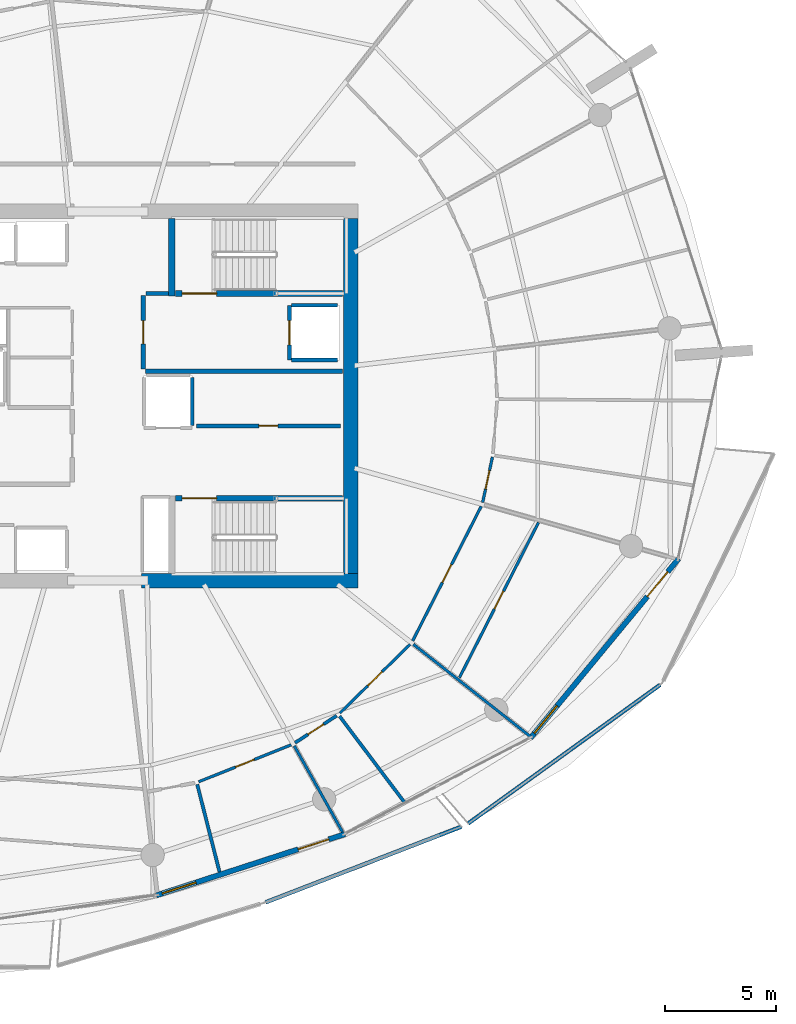
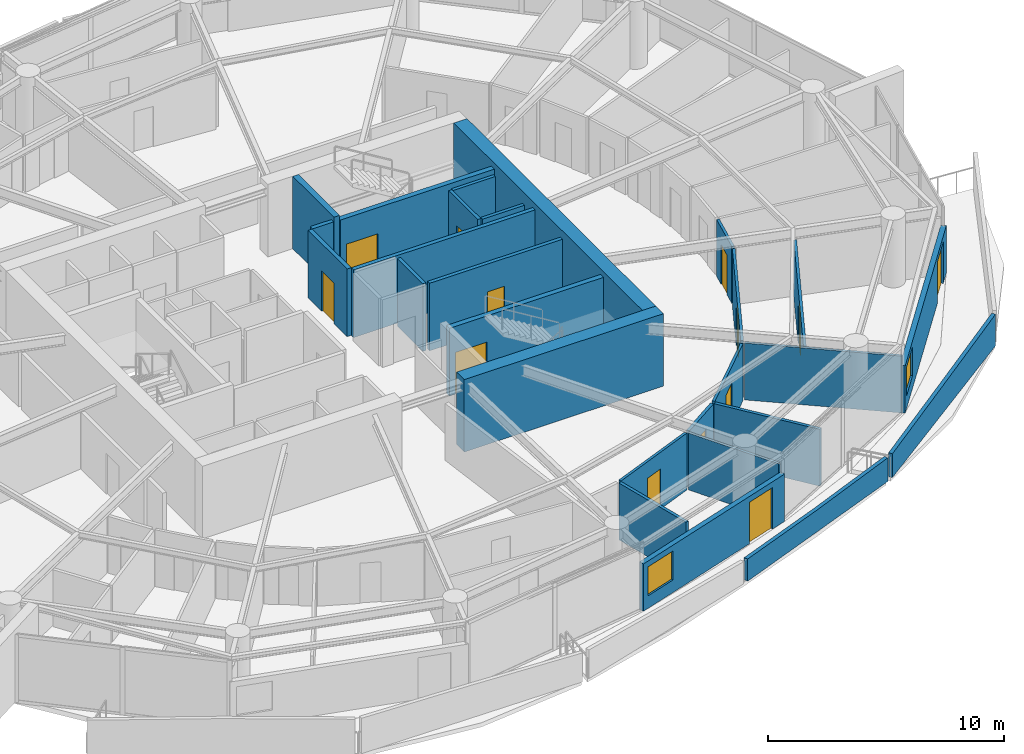
# One storey, part 13 of 20: 27 walls, 13 doors, 2 windows, 15 openings.
"""IFC4 building model written with IfcOpenShell, lengths in metres."""

from ifc_helpers import new_model, si_unit, direction, frame, frame_2d, origin, place, context, subcontext, project, spatial, polyline, rectangle, outline, extrude, material, layer, layer_set, type_object, element, fill, save


model = new_model("IFC4")

# Units and contexts
model_context = context("Model", 3, precision=1e-05, world=origin(), true_north=direction((0.0, 1.0)))
body_context = subcontext(model_context, "Body", "Model", "MODEL_VIEW")
ifc_project = project(units=[si_unit("LENGTHUNIT", "METRE"), si_unit("AREAUNIT", "SQUARE_METRE"), si_unit("VOLUMEUNIT", "CUBIC_METRE"), si_unit("PLANEANGLEUNIT", "RADIAN"), si_unit("MASSUNIT", "GRAM", prefix="KILO")], contexts=[model_context])

# Site, building, storey
site_placement = place(None, origin())
site = spatial("IfcSite", under=ifc_project, at=site_placement, CompositionType="ELEMENT")
building_placement = place(site_placement, origin())
building = spatial("IfcBuilding", under=site, at=building_placement, Name="Kazma Halo Residences", CompositionType="ELEMENT")
storey_placement = place(building_placement, frame((0.0, 0.0, 210.300048828125)))
storey = spatial("IfcBuildingStorey", under=building, at=storey_placement, Name="L53", CompositionType="ELEMENT", Elevation=210.300048828125)

# Walls
ifc_material_1 = material(Name="White Concrete C50/60 Balustrade", Category="concrete")
ifc_layer_1 = layer(ifc_material_1, 0.179931640625)
ifc_layer_set_1 = layer_set([ifc_layer_1], Name="White Concrete C50/60 Balustrade")
wall_type_1 = type_object("IfcWallType", Name="WL-BAL-WAVE-180", PredefinedType="PARAPET", material=ifc_layer_set_1)
wall_1_placement = place(storey_placement, frame((55.545166015625, 19.166259765625, 0.0), z_axis=(0.0, 0.0, 1.0), x_axis=(0.932733135956, 0.360567465378, 0.0)))
element("IfcWall", 1, at=wall_1_placement, inside=storey, type_object=wall_type_1, Name="L53 white wave balustrade wall SSE.2", PredefinedType="PARAPET", context=body_context, shape_type="SweptSolid", body=[
    extrude(outline(polyline([(0.0, 0.0), (9.47265625, 0.0), (9.47265625, 1.223876953125), (4.736328125, 1.126953125), (0.0, 1.14794921875), (0.0, 0.0)])), frame((0.0, 0.08984375, 0.0), z_axis=(0.0, -1.0, 0.0), x_axis=(1.0, 0.0, 0.0)), (0.0, 0.0, 1.0), 0.179931640625),
])
wall_2_placement = place(storey_placement, frame((64.672119140625, 22.71923828125, 0.0), z_axis=(0.0, 0.0, 1.0), x_axis=(0.810676817558, 0.585493891919, 0.0)))
element("IfcWall", 2, at=wall_2_placement, inside=storey, type_object=wall_type_1, Name="L53 white wave balustrade wall SE.1", PredefinedType="PARAPET", context=body_context, shape_type="SweptSolid", body=[
    extrude(outline(polyline([(0.0, 0.0), (10.681396484375, 0.0), (10.681396484375, 1.6318359375), (5.3408203125, 1.41796875), (0.0, 1.23291015625), (0.0, 0.0)])), frame((0.0, 0.08984375, 0.0), z_axis=(0.0, -1.0, 0.0), x_axis=(1.0, 0.0, 0.0)), (0.0, 0.0, 1.0), 0.179931640625),
])
ifc_material_2 = material(Name="Concrete C60/75", Category="concrete")
ifc_layer_2 = layer(ifc_material_2, 0.64990234375)
ifc_layer_set_2 = layer_set([ifc_layer_2], Name="Concrete C60/75")
wall_type_2 = type_object("IfcWallType", Name="WL-CORE-650", PredefinedType="SHEAR", material=ifc_layer_set_2)
wall_3_placement = place(storey_placement, frame((49.949951171875, 33.675048828125, 0.0), z_axis=(0.0, 0.0, 1.0), x_axis=(1.0, 0.0, 0.0)))
element("IfcWall", 3, at=wall_3_placement, inside=storey, type_object=wall_type_2, Name="L53 central core shear wall SE", PredefinedType="SHEAR", context=body_context, shape_type="SweptSolid", body=[
    extrude(rectangle(XDim=9.75, YDim=0.64990234375, at=frame_2d((4.875, 0.0))), origin(), (0.0, 0.0, 1.0), 3.75),
])
wall_4_placement = place(storey_placement, frame((59.375, 34.0, 0.0), z_axis=(0.0, 0.0, 1.0), x_axis=(0.0, 1.0, 0.0)))
element("IfcWall", 4, at=wall_4_placement, inside=storey, type_object=wall_type_2, Name="L53 central core shear wall E", PredefinedType="SHEAR", context=body_context, shape_type="SweptSolid", body=[
    extrude(rectangle(XDim=16.0, YDim=0.64990234375, at=frame_2d((8.0, 0.0))), origin(), (0.0, 0.0, 1.0), 3.75),
])
ifc_layer_3 = layer(ifc_material_2, 0.280029296875)
ifc_layer_set_3 = layer_set([ifc_layer_3], Name="Concrete C60/75")
wall_type_3 = type_object("IfcWallType", Name="WL-CORE-ST-280", PredefinedType="SHEAR", material=ifc_layer_set_3)
wall_5_placement = place(storey_placement, frame((51.31005859375, 46.5, 0.0), z_axis=(0.0, 0.0, 1.0), x_axis=(0.0, 1.0, 0.0)))
element("IfcWall", 5, at=wall_5_placement, inside=storey, type_object=wall_type_3, Name="L53 stairwell bearing wall ST02-W", PredefinedType="SHEAR", context=body_context, shape_type="SweptSolid", body=[
    extrude(rectangle(XDim=3.5, YDim=0.280029296875, at=frame_2d((1.75, 0.0))), origin(), (0.0, 0.0, 1.0), 3.75),
])

# Wall, openings, door, window
ifc_material_3 = material(Name="Insulated Pale-Metal Composite Wall")
ifc_layer_4 = layer(ifc_material_3, 0.239990234375)
ifc_layer_set_4 = layer_set([ifc_layer_4], Name="Insulated Pale-Metal Composite Wall")
wall_type_4 = type_object("IfcWallType", Name="WL-EXT-HOST-240", PredefinedType="SOLIDWALL", material=ifc_layer_set_4)
wall_6_placement = place(storey_placement, frame((50.61572265625, 19.481201171875, 0.0), z_axis=(0.0, 0.0, 1.0), x_axis=(0.951058543936, 0.309010753869, 0.0)))
wall_6 = element("IfcWall", 6, at=wall_6_placement, inside=storey, type_object=wall_type_4, Name="L53 exterior terrace-access wall B12", PredefinedType="SOLIDWALL", context=body_context, shape_type="SweptSolid", body=[
    extrude(rectangle(XDim=8.942138671875, YDim=0.239990234375, at=frame_2d((4.47119140625, 0.0))), origin(), (0.0, 0.0, 1.0), 2.449951171875),
])
opening_1_placement = place(wall_6_placement, frame((6.721923828125, 0.0, 0.0)))
opening_1 = element("IfcOpeningElement", 7, at=opening_1_placement, cuts=wall_6, Name="Opening DTR-1600", PredefinedType="OPENING", context=body_context, shape_type="SweptSolid", body=[
    extrude(rectangle(XDim=1.449951171875, YDim=2.14990234375, at=frame_2d((0.72509765625, 1.074951171875))), frame((0.0, 0.1298828125, 0.0), z_axis=(0.0, -1.0, 0.0), x_axis=(1.0, 0.0, 0.0)), (0.0, 0.0, 1.0), 0.260009765625),
])
opening_2_placement = place(wall_6_placement, frame((0.280029296875, 0.0, 0.64990234375)))
opening_2 = element("IfcOpeningElement", 8, at=opening_2_placement, cuts=wall_6, Name="Opening W-1800", PredefinedType="OPENING", context=body_context, shape_type="SweptSolid", body=[
    extrude(rectangle(XDim=1.60009765625, YDim=1.5, at=frame_2d((0.800048828125, 0.75))), frame((0.0, 0.1298828125, 0.0), z_axis=(0.0, -1.0, 0.0), x_axis=(1.0, 0.0, 0.0)), (0.0, 0.0, 1.0), 0.260009765625),
])
ifc_material_4 = material(Name="Aluminium AW-6063 T6 Double-Glazed Terrace Door", Category="aluminium")
door_type_1 = type_object("IfcDoorType", Name="DR-EXT-TERR-1600", OperationType="NOTDEFINED", PredefinedType="DOOR", material=ifc_material_4)
door_1_placement = place(opening_1_placement, origin())
door_1 = element("IfcDoor", 9, at=door_1_placement, inside=storey, type_object=door_type_1, Name="L53 B12 balcony terrace door", OperationType="DOUBLE_DOOR_SLIDING", OverallHeight=2.14990234375, OverallWidth=1.449951171875, PredefinedType="DOOR", context=body_context, shape_type="SweptSolid", body=[
    extrude(rectangle(XDim=1.449951171875, YDim=2.14990234375, at=frame_2d((0.72509765625, 1.074951171875))), frame((0.0, 0.02490234375, 0.0), z_axis=(0.0, -1.0, 0.0), x_axis=(1.0, 0.0, 0.0)), (0.0, 0.0, 1.0), 0.050048828125),
])
fill(opening_1, door_1)
ifc_material_5 = material(Name="Clear Triple-Silver Low-E Glass in Aluminium AW-6063 T6 Frame", Category="aluminium")
window_type = type_object("IfcWindowType", Name="WIN-RES-1800", PartitioningType="DOUBLE_PANEL_VERTICAL", PredefinedType="WINDOW", material=ifc_material_5)
window_1_placement = place(opening_2_placement, origin())
window_1 = element("IfcWindow", 10, at=window_1_placement, inside=storey, type_object=window_type, Name="L53 B12 apartment window", OverallHeight=1.5, OverallWidth=1.60009765625, PartitioningType="SINGLE_PANEL", PredefinedType="WINDOW", context=body_context, shape_type="SweptSolid", body=[
    extrude(rectangle(XDim=1.60009765625, YDim=1.5, at=frame_2d((0.800048828125, 0.75))), frame((0.0, 0.030029296875, 0.0), z_axis=(0.0, -1.0, 0.0), x_axis=(1.0, 0.0, 0.0)), (0.0, 0.0, 1.0), 0.06005859375),
])
fill(opening_2, window_1)

wall_7_placement = place(storey_placement, frame((67.485107421875, 26.57568359375, 0.0), z_axis=(0.0, 0.0, 1.0), x_axis=(0.636759394418, 0.771062561418, 0.0)))
wall_7 = element("IfcWall", 11, at=wall_7_placement, inside=storey, type_object=wall_type_4, Name="L53 exterior terrace-access wall B14", PredefinedType="SOLIDWALL", context=body_context, shape_type="SweptSolid", body=[
    extrude(rectangle(XDim=10.494384765625, YDim=0.239990234375, at=frame_2d((5.2470703125, 0.0))), origin(), (0.0, 0.0, 1.0), 2.449951171875),
])
opening_3_placement = place(wall_7_placement, frame((8.2744140625, 0.0, 0.0)))
opening_3 = element("IfcOpeningElement", 12, at=opening_3_placement, cuts=wall_7, Name="Opening DTR-1600", PredefinedType="OPENING", context=body_context, shape_type="SweptSolid", body=[
    extrude(rectangle(XDim=1.449951171875, YDim=2.14990234375, at=frame_2d((0.72509765625, 1.074951171875))), frame((0.0, 0.1298828125, 0.0), z_axis=(0.0, -1.0, 0.0), x_axis=(1.0, 0.0, 0.0)), (0.0, 0.0, 1.0), 0.260009765625),
])
opening_4_placement = place(wall_7_placement, frame((0.280029296875, 0.0, 0.64990234375)))
opening_4 = element("IfcOpeningElement", 13, at=opening_4_placement, cuts=wall_7, Name="Opening W-1800", PredefinedType="OPENING", context=body_context, shape_type="SweptSolid", body=[
    extrude(rectangle(XDim=1.60009765625, YDim=1.5, at=frame_2d((0.800048828125, 0.75))), frame((0.0, 0.1298828125, 0.0), z_axis=(0.0, -1.0, 0.0), x_axis=(1.0, 0.0, 0.0)), (0.0, 0.0, 1.0), 0.260009765625),
])
door_2_placement = place(opening_3_placement, origin())
door_2 = element("IfcDoor", 14, at=door_2_placement, inside=storey, type_object=door_type_1, Name="L53 B14 balcony terrace door", OperationType="DOUBLE_DOOR_SLIDING", OverallHeight=2.14990234375, OverallWidth=1.449951171875, PredefinedType="DOOR", context=body_context, shape_type="SweptSolid", body=[
    extrude(rectangle(XDim=1.449951171875, YDim=2.14990234375, at=frame_2d((0.72509765625, 1.074951171875))), frame((0.0, 0.02490234375, 0.0), z_axis=(0.0, -1.0, 0.0), x_axis=(1.0, 0.0, 0.0)), (0.0, 0.0, 1.0), 0.050048828125),
])
fill(opening_3, door_2)
window_2_placement = place(opening_4_placement, origin())
window_2 = element("IfcWindow", 15, at=window_2_placement, inside=storey, type_object=window_type, Name="L53 B14 apartment window", OverallHeight=1.5, OverallWidth=1.60009765625, PartitioningType="SINGLE_PANEL", PredefinedType="WINDOW", context=body_context, shape_type="SweptSolid", body=[
    extrude(rectangle(XDim=1.60009765625, YDim=1.5, at=frame_2d((0.800048828125, 0.75))), frame((0.0, 0.030029296875, 0.0), z_axis=(0.0, -1.0, 0.0), x_axis=(1.0, 0.0, 0.0)), (0.0, 0.0, 1.0), 0.06005859375),
])
fill(opening_4, window_2)

# Wall, opening, door
ifc_material_6 = material(Name="Fire-Rated Blockwork Masonry", Category="masonry")
ifc_layer_5 = layer(ifc_material_6, 0.199951171875)
ifc_layer_set_5 = layer_set([ifc_layer_5], Name="Fire-Rated Blockwork Masonry")
wall_type_5 = type_object("IfcWallType", Name="WL-FLB-200", PredefinedType="PARTITIONING", material=ifc_layer_set_5)
wall_8_placement = place(storey_placement, frame((56.6201171875, 46.080078125, 0.0), z_axis=(0.0, 0.0, 1.0), x_axis=(0.0, -1.0, 0.0)))
wall_8 = element("IfcWall", 16, at=wall_8_placement, inside=storey, type_object=wall_type_5, Name="L53 lift shaft FL-02 front wall", PredefinedType="PARTITIONING", context=body_context, shape_type="SweptSolid", body=[
    extrude(rectangle(XDim=2.4599609375, YDim=0.159912109375, at=frame_2d((1.22998046875, 0.0))), origin(), (0.0, 0.0, 1.0), 3.5),
])
opening_5_placement = place(wall_8_placement, frame((0.679931640625, 0.0, 0.0)))
opening_5 = element("IfcOpeningElement", 17, at=opening_5_placement, cuts=wall_8, Name="Opening LD-FL-02", PredefinedType="OPENING", context=body_context, shape_type="SweptSolid", body=[
    extrude(rectangle(XDim=1.10009765625, YDim=2.10009765625, at=frame_2d((0.550048828125, 1.050048828125))), frame((0.0, 0.08984375, 0.0), z_axis=(0.0, -1.0, 0.0), x_axis=(1.0, 0.0, 0.0)), (0.0, 0.0, 1.0), 0.179931640625),
])
ifc_material_7 = material(Name="Stainless Steel Fire-Rated", Category="steel")
door_type_2 = type_object("IfcDoorType", Name="DR-LIFT-SLD-1100", OperationType="DOUBLE_DOOR_SLIDING", PredefinedType="DOOR", material=ifc_material_7)
door_3_placement = place(opening_5_placement, origin())
door_3 = element("IfcDoor", 18, at=door_3_placement, inside=storey, type_object=door_type_2, Name="L53 lift FL-02 sliding landing door", OperationType="DOUBLE_DOOR_SLIDING", OverallHeight=2.10009765625, OverallWidth=1.10009765625, PredefinedType="DOOR", context=body_context, shape_type="SweptSolid", body=[
    extrude(rectangle(XDim=1.10009765625, YDim=2.10009765625, at=frame_2d((0.550048828125, 1.050048828125))), frame((0.0, 0.02490234375, 0.0), z_axis=(0.0, -1.0, 0.0), x_axis=(1.0, 0.0, 0.0)), (0.0, 0.0, 1.0), 0.050048828125),
])
fill(opening_5, door_3)

# Walls
for number, where, z_axis, x_axis, name in (
    (19, (56.719970703125, 46.080078125, 0.0), (0.0, 0.0, 1.0), (1.0, 0.0, 0.0), "L53 lift shaft FL-02 side wall N"),
    (20, (56.719970703125, 43.6201171875, 0.0), (0.0, 0.0, 1.0), (1.0, 0.0, 0.0), "L53 lift shaft FL-02 side wall S"),
):
    element("IfcWall", number, at=place(storey_placement, frame(where, z_axis=z_axis, x_axis=x_axis)), inside=storey, type_object=wall_type_5, Name=name, PredefinedType="PARTITIONING", context=body_context, shape_type="SweptSolid", body=[
        extrude(rectangle(XDim=2.06005859375, YDim=0.159912109375, at=frame_2d((1.030029296875, 0.0))), origin(), (0.0, 0.0, 1.0), 3.5),
    ])
wall_9_placement = place(storey_placement, frame((52.22998046875, 40.669921875, 0.0), z_axis=(0.0, 0.0, 1.0), x_axis=(0.0, 1.0, 0.0)))
element("IfcWall", 21, at=wall_9_placement, inside=storey, type_object=wall_type_5, Name="L53 lift shaft SV-01 side wall E", PredefinedType="PARTITIONING", context=body_context, shape_type="SweptSolid", body=[
    extrude(rectangle(XDim=2.16015625, YDim=0.159912109375, at=frame_2d((1.080078125, 0.0))), origin(), (0.0, 0.0, 1.0), 3.5),
])

# Wall, opening, door
wall_10_placement = place(storey_placement, frame((52.419921875, 40.64990234375, 0.0), z_axis=(0.0, 0.0, 1.0), x_axis=(1.0, 0.0, 0.0)))
wall_10 = element("IfcWall", 22, at=wall_10_placement, inside=storey, type_object=wall_type_5, Name="L53 core east reserve wall", PredefinedType="PARTITIONING", context=body_context, shape_type="SweptSolid", body=[
    extrude(rectangle(XDim=6.5, YDim=0.179931640625, at=frame_2d((3.25, 0.0))), origin(), (0.0, 0.0, 1.0), 3.5),
])
opening_6_placement = place(wall_10_placement, frame((2.824951171875, 0.0, 0.0)))
opening_6 = element("IfcOpeningElement", 23, at=opening_6_placement, cuts=wall_10, Name="Opening DS-850", PredefinedType="OPENING", context=body_context, shape_type="SweptSolid", body=[
    extrude(rectangle(XDim=0.85009765625, YDim=2.06005859375, at=frame_2d((0.425048828125, 1.030029296875))), frame((0.0, 0.099853515625, 0.0), z_axis=(0.0, -1.0, 0.0), x_axis=(1.0, 0.0, 0.0)), (0.0, 0.0, 1.0), 0.199951171875),
])
ifc_material_8 = material(Name="Painted Steel Access Leaf", Category="steel")
door_type_3 = type_object("IfcDoorType", Name="DR-SVC-850", OperationType="NOTDEFINED", PredefinedType="DOOR", material=ifc_material_8)
door_4_placement = place(opening_6_placement, origin())
door_4 = element("IfcDoor", 24, at=door_4_placement, inside=storey, type_object=door_type_3, Name="L53 core east reserve door", OperationType="SINGLE_SWING_RIGHT", OverallHeight=2.06005859375, OverallWidth=0.85009765625, PredefinedType="DOOR", context=body_context, shape_type="SweptSolid", body=[
    extrude(rectangle(XDim=0.85009765625, YDim=2.06005859375, at=frame_2d((0.425048828125, 1.030029296875))), frame((0.0, 0.02490234375, 0.0), z_axis=(0.0, -1.0, 0.0), x_axis=(1.0, 0.0, 0.0)), (0.0, 0.0, 1.0), 0.050048828125),
])
fill(opening_6, door_4)

# Walls
wall_11_placement = place(storey_placement, frame((50.1201171875, 43.1201171875, 0.0), z_axis=(0.0, 0.0, 1.0), x_axis=(1.0, 0.0, 0.0)))
element("IfcWall", 25, at=wall_11_placement, inside=storey, type_object=wall_type_5, Name="L53 east firefighting lobby south smoke wall", PredefinedType="PARTITIONING", context=body_context, shape_type="SweptSolid", body=[
    extrude(rectangle(XDim=8.8798828125, YDim=0.199951171875, at=frame_2d((4.43994140625, 0.0))), origin(), (0.0, 0.0, 1.0), 3.5),
])
wall_12_placement = place(storey_placement, frame((50.139892578125, 46.6201171875, 0.0), z_axis=(0.0, 0.0, 1.0), x_axis=(1.0, 0.0, 0.0)))
element("IfcWall", 26, at=wall_12_placement, inside=storey, type_object=wall_type_5, Name="L53 east firefighting lobby north closure wall", PredefinedType="PARTITIONING", context=body_context, shape_type="SweptSolid", body=[
    extrude(rectangle(XDim=1.02001953125, YDim=0.199951171875, at=frame_2d((0.510009765625, 0.0))), origin(), (0.0, 0.0, 1.0), 3.5),
])

# Wall, opening, door
wall_13_placement = place(storey_placement, frame((50.02001953125, 43.219970703125, 0.0), z_axis=(0.0, 0.0, 1.0), x_axis=(0.0, 1.0, 0.0)))
wall_13 = element("IfcWall", 27, at=wall_13_placement, inside=storey, type_object=wall_type_5, Name="L53 east firefighting lobby smoke wall", PredefinedType="PARTITIONING", context=body_context, shape_type="SweptSolid", body=[
    extrude(rectangle(XDim=3.300048828125, YDim=0.199951171875, at=frame_2d((1.64990234375, 0.0))), origin(), (0.0, 0.0, 1.0), 3.5),
])
opening_7_placement = place(wall_13_placement, frame((1.125, 0.0, 0.0)))
opening_7 = element("IfcOpeningElement", 28, at=opening_7_placement, cuts=wall_13, Name="Opening D-FLE", PredefinedType="OPENING", context=body_context, shape_type="SweptSolid", body=[
    extrude(rectangle(XDim=1.050048828125, YDim=2.10009765625, at=frame_2d((0.52490234375, 1.050048828125))), frame((0.0, 0.10986328125, 0.0), z_axis=(0.0, -1.0, 0.0), x_axis=(1.0, 0.0, 0.0)), (0.0, 0.0, 1.0), 0.219970703125),
])
ifc_material_9 = material(Name="Fire-Rated Steel Leaf", Category="steel")
door_type_4 = type_object("IfcDoorType", Name="DR-FD90-1050", OperationType="NOTDEFINED", PredefinedType="DOOR", material=ifc_material_9)
door_5_placement = place(opening_7_placement, origin())
door_5 = element("IfcDoor", 29, at=door_5_placement, inside=storey, type_object=door_type_4, Name="L53 east firefighting lobby smoke door", OperationType="SINGLE_SWING_LEFT", OverallHeight=2.10009765625, OverallWidth=1.050048828125, PredefinedType="DOOR", context=body_context, shape_type="SweptSolid", body=[
    extrude(rectangle(XDim=1.050048828125, YDim=2.10009765625, at=frame_2d((0.52490234375, 1.050048828125))), frame((0.0, 0.02490234375, 0.0), z_axis=(0.0, -1.0, 0.0), x_axis=(1.0, 0.0, 0.0)), (0.0, 0.0, 1.0), 0.050048828125),
])
fill(opening_7, door_5)

ifc_material_10 = material(Name="Gypsum Plasterboard Partition")
ifc_layer_6 = layer(ifc_material_10, 0.125)
ifc_layer_set_6 = layer_set([ifc_layer_6], Name="Gypsum Plasterboard Partition")
wall_type_6 = type_object("IfcWallType", Name="WL-PART-125", PredefinedType="PARTITIONING", material=ifc_layer_set_6)
wall_14_placement = place(storey_placement, frame((52.522705078125, 24.602783203125, 0.0), z_axis=(0.0, 0.0, 1.0), x_axis=(0.928686374253, 0.370866038182, 0.0)))
wall_14 = element("IfcWall", 30, at=wall_14_placement, inside=storey, type_object=wall_type_6, Name="L53 Apartment 4 Gourmet Kitchen hall wall", PredefinedType="PARTITIONING", context=body_context, shape_type="SweptSolid", body=[
    extrude(rectangle(XDim=4.49365234375, YDim=0.125, at=frame_2d((2.246826171875, 0.0))), origin(), (0.0, 0.0, 1.0), 2.93994140625),
])
opening_8_placement = place(wall_14_placement, frame((1.796875, 0.0, 0.0)))
opening_8 = element("IfcOpeningElement", 31, at=opening_8_placement, cuts=wall_14, Name="Opening DI-950", PredefinedType="OPENING", context=body_context, shape_type="SweptSolid", body=[
    extrude(rectangle(XDim=0.89990234375, YDim=2.080078125, at=frame_2d((0.449951171875, 1.0400390625))), frame((0.0, 0.072509765625, 0.0), z_axis=(0.0, -1.0, 0.0), x_axis=(1.0, 0.0, 0.0)), (0.0, 0.0, 1.0), 0.14501953125),
])
ifc_material_11 = material(Name="Timber Veneer Flush Leaf", Category="wood")
door_type_5 = type_object("IfcDoorType", Name="DR-INT-950", OperationType="NOTDEFINED", PredefinedType="DOOR", material=ifc_material_11)
door_6_placement = place(opening_8_placement, origin())
door_6 = element("IfcDoor", 32, at=door_6_placement, inside=storey, type_object=door_type_5, Name="L53 Apartment 4 Gourmet Kitchen door", OperationType="SINGLE_SWING_LEFT", OverallHeight=2.080078125, OverallWidth=0.89990234375, PredefinedType="DOOR", context=body_context, shape_type="SweptSolid", body=[
    extrude(rectangle(XDim=0.89990234375, YDim=2.080078125, at=frame_2d((0.449951171875, 1.0400390625))), frame((0.0, 0.02490234375, 0.0), z_axis=(0.0, -1.0, 0.0), x_axis=(1.0, 0.0, 0.0)), (0.0, 0.0, 1.0), 0.050048828125),
])
fill(opening_8, door_6)

# Wall
wall_15_placement = place(storey_placement, frame((56.837646484375, 26.21923828125, 0.0), z_axis=(0.0, 0.0, 1.0), x_axis=(0.488608382443, -0.872503208365, 0.0)))
element("IfcWall", 33, at=wall_15_placement, inside=storey, type_object=wall_type_6, Name="L53 Apartment 4 radial partition 12", PredefinedType="PARTITIONING", context=body_context, shape_type="SweptSolid", body=[
    extrude(rectangle(XDim=4.448486328125, YDim=0.125, at=frame_2d((2.22412109375, 0.0))), origin(), (0.0, 0.0, 1.0), 2.93994140625),
])

# Wall, opening, door
wall_16_placement = place(storey_placement, frame((58.88671875, 27.696044921875, 0.0), z_axis=(0.0, 0.0, 1.0), x_axis=(0.714833426799, 0.699294767556, 0.0)))
wall_16 = element("IfcWall", 34, at=wall_16_placement, inside=storey, type_object=wall_type_6, Name="L53 Apartment 4 West Master Bedroom hall wall", PredefinedType="PARTITIONING", context=body_context, shape_type="SweptSolid", body=[
    extrude(rectangle(XDim=4.4306640625, YDim=0.125, at=frame_2d((2.21533203125, 0.0))), origin(), (0.0, 0.0, 1.0), 2.93994140625),
])
opening_9_placement = place(wall_16_placement, frame((1.765380859375, 0.0, 0.0)))
opening_9 = element("IfcOpeningElement", 35, at=opening_9_placement, cuts=wall_16, Name="Opening DI-950", PredefinedType="OPENING", context=body_context, shape_type="SweptSolid", body=[
    extrude(rectangle(XDim=0.89990234375, YDim=2.080078125, at=frame_2d((0.449951171875, 1.0400390625))), frame((0.0, 0.072509765625, 0.0), z_axis=(0.0, -1.0, 0.0), x_axis=(1.0, 0.0, 0.0)), (0.0, 0.0, 1.0), 0.14501953125),
])
door_7_placement = place(opening_9_placement, origin())
door_7 = element("IfcDoor", 36, at=door_7_placement, inside=storey, type_object=door_type_5, Name="L53 Apartment 4 West Master Bedroom door", OperationType="SINGLE_SWING_RIGHT", OverallHeight=2.080078125, OverallWidth=0.89990234375, PredefinedType="DOOR", context=body_context, shape_type="SweptSolid", body=[
    extrude(rectangle(XDim=0.89990234375, YDim=2.080078125, at=frame_2d((0.449951171875, 1.0400390625))), frame((0.0, 0.02490234375, 0.0), z_axis=(0.0, -1.0, 0.0), x_axis=(1.0, 0.0, 0.0)), (0.0, 0.0, 1.0), 0.050048828125),
])
fill(opening_9, door_7)

# Wall
wall_17_placement = place(storey_placement, frame((62.2041015625, 30.802490234375, 0.0), z_axis=(0.0, 0.0, 1.0), x_axis=(0.785315561472, -0.619095686393, 0.0)))
element("IfcWall", 37, at=wall_17_placement, inside=storey, type_object=wall_type_6, Name="L53 Apartment 4 radial partition 13", PredefinedType="PARTITIONING", context=body_context, shape_type="SweptSolid", body=[
    extrude(rectangle(XDim=6.740234375, YDim=0.125, at=frame_2d((3.3701171875, 0.0))), origin(), (0.0, 0.0, 1.0), 2.93994140625),
])

# Wall, opening, door
wall_18_placement = place(storey_placement, frame((62.17529296875, 30.96240234375, 0.0), z_axis=(0.0, 0.0, 1.0), x_axis=(0.454009704529, 0.890996738599, 0.0)))
wall_18 = element("IfcWall", 38, at=wall_18_placement, inside=storey, type_object=wall_type_6, Name="L53 Apartment 4 North Study hall wall", PredefinedType="PARTITIONING", context=body_context, shape_type="SweptSolid", body=[
    extrude(rectangle(XDim=6.798095703125, YDim=0.125, at=frame_2d((3.39892578125, 0.0))), origin(), (0.0, 0.0, 1.0), 2.93994140625),
])
opening_10_placement = place(wall_18_placement, frame((2.94921875, 0.0, 0.0)))
opening_10 = element("IfcOpeningElement", 39, at=opening_10_placement, cuts=wall_18, Name="Opening DI-950", PredefinedType="OPENING", context=body_context, shape_type="SweptSolid", body=[
    extrude(rectangle(XDim=0.89990234375, YDim=2.080078125, at=frame_2d((0.449951171875, 1.0400390625))), frame((0.0, 0.072509765625, 0.0), z_axis=(0.0, -1.0, 0.0), x_axis=(1.0, 0.0, 0.0)), (0.0, 0.0, 1.0), 0.14501953125),
])
door_8_placement = place(opening_10_placement, origin())
door_8 = element("IfcDoor", 40, at=door_8_placement, inside=storey, type_object=door_type_5, Name="L53 Apartment 4 North Study door", OperationType="SINGLE_SWING_LEFT", OverallHeight=2.080078125, OverallWidth=0.89990234375, PredefinedType="DOOR", context=body_context, shape_type="SweptSolid", body=[
    extrude(rectangle(XDim=0.89990234375, YDim=2.080078125, at=frame_2d((0.449951171875, 1.0400390625))), frame((0.0, 0.02490234375, 0.0), z_axis=(0.0, -1.0, 0.0), x_axis=(1.0, 0.0, 0.0)), (0.0, 0.0, 1.0), 0.050048828125),
])
fill(opening_10, door_8)

wall_19_placement = place(storey_placement, frame((64.283203125, 29.30078125, 0.0), z_axis=(0.0, 0.0, 1.0), x_axis=(0.453997104185, 0.891003159025, 0.0)))
wall_19 = element("IfcWall", 41, at=wall_19_placement, inside=storey, type_object=wall_type_6, Name="L53 Apartment 4 South Master Bedroom divider wall", PredefinedType="PARTITIONING", context=body_context, shape_type="SweptSolid", body=[
    extrude(rectangle(XDim=7.845458984375, YDim=0.125, at=frame_2d((3.9228515625, 0.0))), origin(), (0.0, 0.0, 1.0), 2.93994140625),
])
opening_11_placement = place(wall_19_placement, frame((3.472900390625, 0.0, 0.0)))
opening_11 = element("IfcOpeningElement", 42, at=opening_11_placement, cuts=wall_19, Name="Opening DI-950", PredefinedType="OPENING", context=body_context, shape_type="SweptSolid", body=[
    extrude(rectangle(XDim=0.89990234375, YDim=2.080078125, at=frame_2d((0.449951171875, 1.0400390625))), frame((0.0, 0.072509765625, 0.0), z_axis=(0.0, -1.0, 0.0), x_axis=(1.0, 0.0, 0.0)), (0.0, 0.0, 1.0), 0.14501953125),
])
door_9_placement = place(opening_11_placement, origin())
door_9 = element("IfcDoor", 43, at=door_9_placement, inside=storey, type_object=door_type_5, Name="L53 Apartment 4 South Master Bedroom door", OperationType="SINGLE_SWING_RIGHT", OverallHeight=2.080078125, OverallWidth=0.89990234375, PredefinedType="DOOR", context=body_context, shape_type="SweptSolid", body=[
    extrude(rectangle(XDim=0.89990234375, YDim=2.080078125, at=frame_2d((0.449951171875, 1.0400390625))), frame((0.0, 0.02490234375, 0.0), z_axis=(0.0, -1.0, 0.0), x_axis=(1.0, 0.0, 0.0)), (0.0, 0.0, 1.0), 0.050048828125),
])
fill(opening_11, door_9)

wall_20_placement = place(storey_placement, frame((65.32861328125, 37.19580078125, 0.0), z_axis=(0.0, 0.0, 1.0), x_axis=(0.21043464324, 0.977607928019, 0.0)))
wall_20 = element("IfcWall", 44, at=wall_20_placement, inside=storey, type_object=wall_type_6, Name="L53 Apartment 4 Inner Bedroom hall wall", PredefinedType="PARTITIONING", context=body_context, shape_type="SweptSolid", body=[
    extrude(rectangle(XDim=2.0986328125, YDim=0.125, at=frame_2d((1.04931640625, 0.0))), origin(), (0.0, 0.0, 1.0), 2.93994140625),
])
opening_12_placement = place(wall_20_placement, frame((0.62451171875, 0.0, 0.0)))
opening_12 = element("IfcOpeningElement", 45, at=opening_12_placement, cuts=wall_20, Name="Opening DB-900", PredefinedType="OPENING", context=body_context, shape_type="SweptSolid", body=[
    extrude(rectangle(XDim=0.85009765625, YDim=2.06005859375, at=frame_2d((0.425048828125, 1.030029296875))), frame((0.0, 0.072509765625, 0.0), z_axis=(0.0, -1.0, 0.0), x_axis=(1.0, 0.0, 0.0)), (0.0, 0.0, 1.0), 0.14501953125),
])
ifc_material_12 = material(Name="Moisture-Sealed Timber Leaf", Category="wood")
door_type_6 = type_object("IfcDoorType", Name="DR-BTH-900", OperationType="NOTDEFINED", PredefinedType="DOOR", material=ifc_material_12)
door_10_placement = place(opening_12_placement, origin())
door_10 = element("IfcDoor", 46, at=door_10_placement, inside=storey, type_object=door_type_6, Name="L53 Apartment 4 Inner Bedroom door", OperationType="SINGLE_SWING_LEFT", OverallHeight=2.06005859375, OverallWidth=0.85009765625, PredefinedType="DOOR", context=body_context, shape_type="SweptSolid", body=[
    extrude(rectangle(XDim=0.85009765625, YDim=2.06005859375, at=frame_2d((0.425048828125, 1.030029296875))), frame((0.0, 0.02490234375, 0.0), z_axis=(0.0, -1.0, 0.0), x_axis=(1.0, 0.0, 0.0)), (0.0, 0.0, 1.0), 0.050048828125),
])
fill(opening_12, door_10)

ifc_material_13 = material(Name="Concrete C50/60", Category="concrete")
ifc_layer_7 = layer(ifc_material_13, 0.25)
ifc_layer_set_7 = layer_set([ifc_layer_7], Name="Concrete C50/60")
wall_type_7 = type_object("IfcWallType", Name="WL-SHF-250", PredefinedType="SOLIDWALL", material=ifc_layer_set_7)
wall_21_placement = place(storey_placement, frame((51.47998046875, 46.6201171875, 0.0), z_axis=(0.0, 0.0, 1.0), x_axis=(1.0, 0.0, 0.0)))
wall_21 = element("IfcWall", 47, at=wall_21_placement, inside=storey, type_object=wall_type_7, Name="L53 exit stair ST-02 enclosure wall", PredefinedType="SOLIDWALL", context=body_context, shape_type="SweptSolid", body=[
    extrude(rectangle(XDim=7.5400390625, YDim=0.25, at=frame_2d((3.77001953125, 0.0))), origin(), (0.0, 0.0, 1.0), 3.5),
])
opening_13_placement = place(wall_21_placement, frame((0.300048828125, 0.0, 0.0)))
opening_13 = element("IfcOpeningElement", 48, at=opening_13_placement, cuts=wall_21, Name="Opening D-ST2", PredefinedType="OPENING", context=body_context, shape_type="SweptSolid", body=[
    extrude(rectangle(XDim=1.550048828125, YDim=2.14990234375, at=frame_2d((0.77490234375, 1.074951171875))), frame((0.0, 0.135009765625, 0.0), z_axis=(0.0, -1.0, 0.0), x_axis=(1.0, 0.0, 0.0)), (0.0, 0.0, 1.0), 0.27001953125),
])
ifc_material_14 = material(Name="Fire-Rated Double Steel Leaf", Category="steel")
door_type_7 = type_object("IfcDoorType", Name="DR-FD90-1550", OperationType="NOTDEFINED", PredefinedType="DOOR", material=ifc_material_14)
door_11_placement = place(opening_13_placement, origin())
door_11 = element("IfcDoor", 49, at=door_11_placement, inside=storey, type_object=door_type_7, Name="L53 exit stair ST-02 fire door", OperationType="DOUBLE_DOOR_SINGLE_SWING", OverallHeight=2.14990234375, OverallWidth=1.550048828125, PredefinedType="DOOR", context=body_context, shape_type="SweptSolid", body=[
    extrude(rectangle(XDim=1.550048828125, YDim=2.14990234375, at=frame_2d((0.77490234375, 1.074951171875))), frame((0.0, 0.02490234375, 0.0), z_axis=(0.0, -1.0, 0.0), x_axis=(1.0, 0.0, 0.0)), (0.0, 0.0, 1.0), 0.050048828125),
])
fill(opening_13, door_11)

wall_22_placement = place(storey_placement, frame((51.47998046875, 37.3798828125, 0.0), z_axis=(0.0, 0.0, 1.0), x_axis=(1.0, 0.0, 0.0)))
wall_22 = element("IfcWall", 50, at=wall_22_placement, inside=storey, type_object=wall_type_7, Name="L53 exit stair ST-03 enclosure wall", PredefinedType="SOLIDWALL", context=body_context, shape_type="SweptSolid", body=[
    extrude(rectangle(XDim=7.5400390625, YDim=0.25, at=frame_2d((3.77001953125, 0.0))), origin(), (0.0, 0.0, 1.0), 3.5),
])
opening_14_placement = place(wall_22_placement, frame((0.300048828125, 0.0, 0.0)))
opening_14 = element("IfcOpeningElement", 51, at=opening_14_placement, cuts=wall_22, Name="Opening D-ST3", PredefinedType="OPENING", context=body_context, shape_type="SweptSolid", body=[
    extrude(rectangle(XDim=1.550048828125, YDim=2.14990234375, at=frame_2d((0.77490234375, 1.074951171875))), frame((0.0, 0.135009765625, 0.0), z_axis=(0.0, -1.0, 0.0), x_axis=(1.0, 0.0, 0.0)), (0.0, 0.0, 1.0), 0.27001953125),
])
door_12_placement = place(opening_14_placement, origin())
door_12 = element("IfcDoor", 52, at=door_12_placement, inside=storey, type_object=door_type_7, Name="L53 exit stair ST-03 fire door", OperationType="DOUBLE_DOOR_SINGLE_SWING", OverallHeight=2.14990234375, OverallWidth=1.550048828125, PredefinedType="DOOR", context=body_context, shape_type="SweptSolid", body=[
    extrude(rectangle(XDim=1.550048828125, YDim=2.14990234375, at=frame_2d((0.77490234375, 1.074951171875))), frame((0.0, 0.02490234375, 0.0), z_axis=(0.0, -1.0, 0.0), x_axis=(1.0, 0.0, 0.0)), (0.0, 0.0, 1.0), 0.050048828125),
])
fill(opening_14, door_12)

# Wall
ifc_material_15 = material(Name="Moisture-Resistant Gypsum")
ifc_layer_8 = layer(ifc_material_15, 0.14990234375)
ifc_layer_set_8 = layer_set([ifc_layer_8], Name="Moisture-Resistant Gypsum")
wall_type_8 = type_object("IfcWallType", Name="WL-WET-150", PredefinedType="PARTITIONING", material=ifc_layer_set_8)
wall_23_placement = place(storey_placement, frame((52.461181640625, 24.482177734375, 0.0), z_axis=(0.0, 0.0, 1.0), x_axis=(0.246781707717, -0.969071095811, 0.0)))
element("IfcWall", 53, at=wall_23_placement, inside=storey, type_object=wall_type_8, Name="L53 Apartment 4 Guest Bathroom side wall", PredefinedType="PARTITIONING", context=body_context, shape_type="SweptSolid", body=[
    extrude(rectangle(XDim=4.070068359375, YDim=0.14990234375, at=frame_2d((2.03515625, 0.0))), origin(), (0.0, 0.0, 1.0), 2.93994140625),
])

# Wall, opening, door
wall_24_placement = place(storey_placement, frame((56.87255859375, 26.361083984375, 0.0), z_axis=(0.0, 0.0, 1.0), x_axis=(0.837497725381, 0.54644081105, 0.0)))
wall_24 = element("IfcWall", 54, at=wall_24_placement, inside=storey, type_object=wall_type_8, Name="L53 Apartment 4 East En-Suite Bathroom hall wall", PredefinedType="PARTITIONING", context=body_context, shape_type="SweptSolid", body=[
    extrude(rectangle(XDim=2.238037109375, YDim=0.14990234375, at=frame_2d((1.119140625, 0.0))), origin(), (0.0, 0.0, 1.0), 2.93994140625),
])
opening_15_placement = place(wall_24_placement, frame((0.694091796875, 0.0, 0.0)))
opening_15 = element("IfcOpeningElement", 55, at=opening_15_placement, cuts=wall_24, Name="Opening DB-900", PredefinedType="OPENING", context=body_context, shape_type="SweptSolid", body=[
    extrude(rectangle(XDim=0.85009765625, YDim=2.06005859375, at=frame_2d((0.425048828125, 1.030029296875))), frame((0.0, 0.0849609375, 0.0), z_axis=(0.0, -1.0, 0.0), x_axis=(1.0, 0.0, 0.0)), (0.0, 0.0, 1.0), 0.169921875),
])
door_13_placement = place(opening_15_placement, origin())
door_13 = element("IfcDoor", 56, at=door_13_placement, inside=storey, type_object=door_type_6, Name="L53 Apartment 4 East En-Suite Bathroom door", OperationType="SINGLE_SWING_RIGHT", OverallHeight=2.06005859375, OverallWidth=0.85009765625, PredefinedType="DOOR", context=body_context, shape_type="SweptSolid", body=[
    extrude(rectangle(XDim=0.85009765625, YDim=2.06005859375, at=frame_2d((0.425048828125, 1.030029296875))), frame((0.0, 0.02490234375, 0.0), z_axis=(0.0, -1.0, 0.0), x_axis=(1.0, 0.0, 0.0)), (0.0, 0.0, 1.0), 0.050048828125),
])
fill(opening_15, door_13)

# Wall
wall_25_placement = place(storey_placement, frame((58.87646484375, 27.561279296875, 0.0), z_axis=(0.0, 0.0, 1.0), x_axis=(0.601652635262, -0.798757852219, 0.0)))
element("IfcWall", 57, at=wall_25_placement, inside=storey, type_object=wall_type_8, Name="L53 Apartment 4 East En-Suite Bathroom side wall", PredefinedType="PARTITIONING", context=body_context, shape_type="SweptSolid", body=[
    extrude(rectangle(XDim=4.865234375, YDim=0.14990234375, at=frame_2d((2.4326171875, 0.0))), origin(), (0.0, 0.0, 1.0), 2.93994140625),
])

save(model, "model.ifc")
